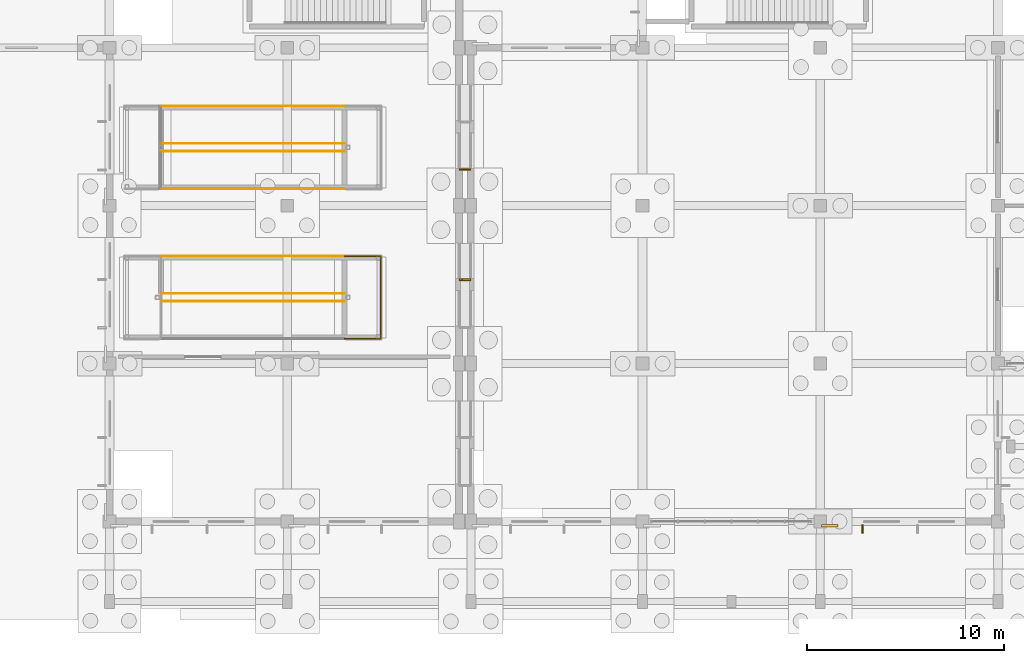
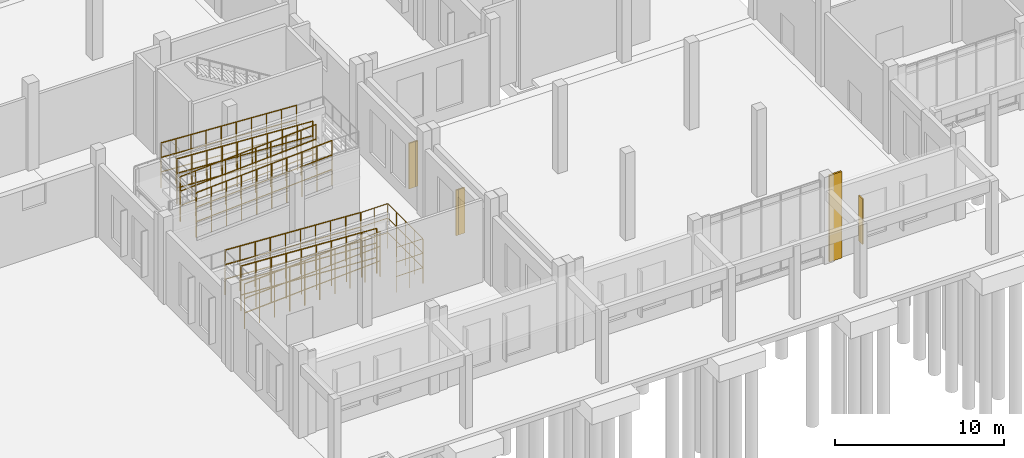
# One storey, part 81 of 99: 24 railings, 5 shading devices, 1 covering.
"""IFC4 building model written with IfcOpenShell, lengths in metres."""

from ifc_helpers import new_model, si_unit, direction, frame, origin, origin_2d, place, context, subcontext, project, spatial, rectangle, circle, extrude, material, layer, layer_set, type_object, element, save


model = new_model("IFC4")

# Units and contexts
model_context = context("Model", 3, precision=1e-05, world=origin(), true_north=direction((0.0, 1.0)))
body_context = subcontext(model_context, "Body", "Model", "MODEL_VIEW")
ifc_project = project(units=[si_unit("LENGTHUNIT", "METRE"), si_unit("AREAUNIT", "SQUARE_METRE"), si_unit("VOLUMEUNIT", "CUBIC_METRE"), si_unit("PLANEANGLEUNIT", "RADIAN"), si_unit("MASSUNIT", "GRAM", prefix="KILO")], contexts=[model_context])

# Site, building, storey
site_placement = place(None, origin())
site = spatial("IfcSite", under=ifc_project, at=site_placement, CompositionType="ELEMENT")
building_placement = place(site_placement, origin())
building = spatial("IfcBuilding", under=site, at=building_placement, Name="Zacnel Wholesale Market", CompositionType="ELEMENT")
storey_placement = place(building_placement, origin())
storey = spatial("IfcBuildingStorey", under=building, at=storey_placement, Name="L01", CompositionType="ELEMENT", Elevation=0.0)

# Covering
ifc_material_1 = material(Name="Honed Yucatan Maya cream limestone", Category="masonry")
ifc_layer = layer(ifc_material_1, 0.090087890625)
ifc_layer_set = layer_set([ifc_layer], Name="Honed Yucatan Maya cream limestone")
covering_type = type_object("IfcCoveringType", Name="COV-CLAD-FRET", PredefinedType="CLADDING", material=ifc_layer_set)
covering_placement = place(storey_placement, frame((90.47998046875, -0.2099609375, 0.02001953125), z_axis=(0.0, 0.0, 1.0), x_axis=(1.0, 0.0, 0.0)))
element("IfcCovering", 1, at=covering_placement, inside=storey, type_object=covering_type, Name="Fluted Mayan-Deco limestone pilaster L01-0033", PredefinedType="CLADDING", context=body_context, shape_type="SweptSolid", body=[
    extrude(rectangle(XDim=0.85009765625, YDim=0.1201171875, at=origin_2d()), origin(), (0.0, 0.0, 1.0), 6.260009765625),
])

# Railings
ifc_material_2 = material(Name="Galvanized steel", Category="steel")
railing_type = type_object("IfcRailingType", Name="RAL-STAIR-GD1150", PredefinedType="BALUSTRADE", material=ifc_material_2)
railing_1_placement = place(storey_placement, frame((56.60009765625, 11.14990234375, 0.0)))
element("IfcRailing", 2, at=railing_1_placement, inside=storey, type_object=railing_type, Name="Accessible ramp RP-03 (RMP-PROM-1A) balustrade 1", PredefinedType="BALUSTRADE", context=body_context, shape_type="SweptSolid", body=[
    extrude(circle(Radius=0.0224609375, at=origin_2d()), frame((0.0, 0.0, 1.12744140625), z_axis=(0.998408262426, 0.0, 0.056399836159), x_axis=(0.0, 1.0, 0.0)), (0.0, 0.0, 1.0), 9.306884765625),
    extrude(circle(Radius=0.02001953125, at=origin_2d()), origin(), (0.0, 0.0, 1.0), 1.10498046875),
    extrude(circle(Radius=0.02001953125, at=origin_2d()), frame((1.032470703125, 0.0, 0.058349609375)), (0.0, 0.0, 1.0), 1.10498046875),
    extrude(circle(Radius=0.02001953125, at=origin_2d()), frame((2.06494140625, 0.0, 0.11669921875)), (0.0, 0.0, 1.0), 1.10498046875),
    extrude(circle(Radius=0.02001953125, at=origin_2d()), frame((3.097412109375, 0.0, 0.175048828125)), (0.0, 0.0, 1.0), 1.10498046875),
    extrude(circle(Radius=0.02001953125, at=origin_2d()), frame((4.1298828125, 0.0, 0.2333984375)), (0.0, 0.0, 1.0), 1.10498046875),
    extrude(circle(Radius=0.02001953125, at=origin_2d()), frame((5.162109375, 0.0, 0.29150390625)), (0.0, 0.0, 1.0), 1.10498046875),
    extrude(circle(Radius=0.02001953125, at=origin_2d()), frame((6.194580078125, 0.0, 0.349853515625)), (0.0, 0.0, 1.0), 1.10498046875),
    extrude(circle(Radius=0.02001953125, at=origin_2d()), frame((7.22705078125, 0.0, 0.408203125)), (0.0, 0.0, 1.0), 1.10498046875),
    extrude(circle(Radius=0.02001953125, at=origin_2d()), frame((8.259521484375, 0.0, 0.466552734375)), (0.0, 0.0, 1.0), 1.10498046875),
    extrude(circle(Radius=0.02001953125, at=origin_2d()), frame((9.2919921875, 0.0, 0.52490234375)), (0.0, 0.0, 1.0), 1.10498046875),
])
railing_2_placement = place(storey_placement, frame((65.902099609375, 9.260009765625, 0.52490234375)))
element("IfcRailing", 3, at=railing_2_placement, inside=storey, type_object=railing_type, Name="Accessible ramp RP-03 (RMP-PROM-1A) landing balustrade 1", PredefinedType="BALUSTRADE", context=body_context, shape_type="SweptSolid", body=[
    extrude(circle(Radius=0.0224609375, at=origin_2d()), frame((0.0, 0.0, 1.12744140625), z_axis=(1.0, 0.0, 0.0), x_axis=(0.0, 1.0, 0.0)), (0.0, 0.0, 1.0), 1.829833984375),
    extrude(circle(Radius=0.0224609375, at=origin_2d()), frame((1.829833984375, 0.0, 1.12744140625), z_axis=(0.0, 1.0, 0.0), x_axis=(-1.0, 0.0, 0.0)), (0.0, 0.0, 1.0), 4.179931640625),
    extrude(circle(Radius=0.0224609375, at=origin_2d()), frame((1.829833984375, 4.179931640625, 1.12744140625), z_axis=(-1.0, 0.0, 0.0), x_axis=(0.0, -1.0, 0.0)), (0.0, 0.0, 1.0), 1.829833984375),
    extrude(circle(Radius=0.02001953125, at=origin_2d()), origin(), (0.0, 0.0, 1.0), 1.10498046875),
    extrude(circle(Radius=0.02001953125, at=origin_2d()), frame((0.9150390625, 0.0, 0.0)), (0.0, 0.0, 1.0), 1.10498046875),
    extrude(circle(Radius=0.02001953125, at=origin_2d()), frame((1.829833984375, 0.0, 0.0)), (0.0, 0.0, 1.0), 1.10498046875),
    extrude(circle(Radius=0.02001953125, at=origin_2d()), frame((1.829833984375, 1.044921875, 0.0)), (0.0, 0.0, 1.0), 1.10498046875),
    extrude(circle(Radius=0.02001953125, at=origin_2d()), frame((1.829833984375, 2.08984375, 0.0)), (0.0, 0.0, 1.0), 1.10498046875),
    extrude(circle(Radius=0.02001953125, at=origin_2d()), frame((1.829833984375, 3.135009765625, 0.0)), (0.0, 0.0, 1.0), 1.10498046875),
    extrude(circle(Radius=0.02001953125, at=origin_2d()), frame((1.829833984375, 4.179931640625, 0.0)), (0.0, 0.0, 1.0), 1.10498046875),
    extrude(circle(Radius=0.02001953125, at=origin_2d()), frame((0.9150390625, 4.179931640625, 0.0)), (0.0, 0.0, 1.0), 1.10498046875),
    extrude(circle(Radius=0.02001953125, at=origin_2d()), frame((0.0, 4.179931640625, 0.0)), (0.0, 0.0, 1.0), 1.10498046875),
])
for number, where, name in (
    (4, (65.89208984375, 11.550048828125, 0.52490234375), "Accessible ramp RP-03 (RMP-PROM-1A) balustrade 2"),
    (5, (65.89208984375, 13.449951171875, 0.52490234375), "Accessible ramp RP-03 (RMP-PROM-1A) balustrade 2"),
):
    element("IfcRailing", number, at=place(storey_placement, frame(where)), inside=storey, type_object=railing_type, Name=name, PredefinedType="BALUSTRADE", context=body_context, shape_type="SweptSolid", body=[
        extrude(circle(Radius=0.0224609375, at=origin_2d()), frame((0.0, 0.0, 1.12744140625), z_axis=(-0.998406784933, 0.0, 0.056425985139), x_axis=(0.0, -1.0, 0.0)), (0.0, 0.0, 1.0), 9.306884765625),
        extrude(circle(Radius=0.02001953125, at=origin_2d()), origin(), (0.0, 0.0, 1.0), 1.10498046875),
        extrude(circle(Radius=0.02001953125, at=origin_2d()), frame((-1.032470703125, 0.0, 0.058349609375)), (0.0, 0.0, 1.0), 1.10498046875),
        extrude(circle(Radius=0.02001953125, at=origin_2d()), frame((-2.06494140625, 0.0, 0.11669921875)), (0.0, 0.0, 1.0), 1.10498046875),
        extrude(circle(Radius=0.02001953125, at=origin_2d()), frame((-3.097412109375, 0.0, 0.175048828125)), (0.0, 0.0, 1.0), 1.10498046875),
        extrude(circle(Radius=0.02001953125, at=origin_2d()), frame((-4.1298828125, 0.0, 0.2333984375)), (0.0, 0.0, 1.0), 1.10498046875),
        extrude(circle(Radius=0.02001953125, at=origin_2d()), frame((-5.162109375, 0.0, 0.291748046875)), (0.0, 0.0, 1.0), 1.10498046875),
        extrude(circle(Radius=0.02001953125, at=origin_2d()), frame((-6.194580078125, 0.0, 0.35009765625)), (0.0, 0.0, 1.0), 1.10498046875),
        extrude(circle(Radius=0.02001953125, at=origin_2d()), frame((-7.22705078125, 0.0, 0.408447265625)), (0.0, 0.0, 1.0), 1.10498046875),
        extrude(circle(Radius=0.02001953125, at=origin_2d()), frame((-8.259521484375, 0.0, 0.466796875)), (0.0, 0.0, 1.0), 1.10498046875),
        extrude(circle(Radius=0.02001953125, at=origin_2d()), frame((-9.2919921875, 0.0, 0.525146484375)), (0.0, 0.0, 1.0), 1.10498046875),
    ])
railing_3_placement = place(storey_placement, frame((56.60009765625, 11.14990234375, 1.050048828125)))
element("IfcRailing", 6, at=railing_3_placement, inside=storey, type_object=railing_type, Name="Accessible ramp RP-03 (RMP-PROM-1A) balustrade 3", PredefinedType="BALUSTRADE", context=body_context, shape_type="SweptSolid", body=[
    extrude(circle(Radius=0.0224609375, at=origin_2d()), frame((0.0, 0.0, 1.12744140625), z_axis=(0.998408262426, 0.0, 0.056399836159), x_axis=(0.0, 1.0, 0.0)), (0.0, 0.0, 1.0), 9.306884765625),
    extrude(circle(Radius=0.02001953125, at=origin_2d()), origin(), (0.0, 0.0, 1.0), 1.10498046875),
    extrude(circle(Radius=0.02001953125, at=origin_2d()), frame((1.032470703125, 0.0, 0.058349609375)), (0.0, 0.0, 1.0), 1.10498046875),
    extrude(circle(Radius=0.02001953125, at=origin_2d()), frame((2.06494140625, 0.0, 0.11669921875)), (0.0, 0.0, 1.0), 1.10498046875),
    extrude(circle(Radius=0.02001953125, at=origin_2d()), frame((3.097412109375, 0.0, 0.175048828125)), (0.0, 0.0, 1.0), 1.10498046875),
    extrude(circle(Radius=0.02001953125, at=origin_2d()), frame((4.1298828125, 0.0, 0.2333984375)), (0.0, 0.0, 1.0), 1.10498046875),
    extrude(circle(Radius=0.02001953125, at=origin_2d()), frame((5.162109375, 0.0, 0.29150390625)), (0.0, 0.0, 1.0), 1.10498046875),
    extrude(circle(Radius=0.02001953125, at=origin_2d()), frame((6.194580078125, 0.0, 0.349853515625)), (0.0, 0.0, 1.0), 1.10498046875),
    extrude(circle(Radius=0.02001953125, at=origin_2d()), frame((7.22705078125, 0.0, 0.408203125)), (0.0, 0.0, 1.0), 1.10498046875),
    extrude(circle(Radius=0.02001953125, at=origin_2d()), frame((8.259521484375, 0.0, 0.466552734375)), (0.0, 0.0, 1.0), 1.10498046875),
    extrude(circle(Radius=0.02001953125, at=origin_2d()), frame((9.2919921875, 0.0, 0.52490234375)), (0.0, 0.0, 1.0), 1.10498046875),
])
railing_4_placement = place(storey_placement, frame((65.902099609375, 9.260009765625, 1.574951171875)))
element("IfcRailing", 7, at=railing_4_placement, inside=storey, type_object=railing_type, Name="Accessible ramp RP-03 (RMP-PROM-1A) landing balustrade 3", PredefinedType="BALUSTRADE", context=body_context, shape_type="SweptSolid", body=[
    extrude(circle(Radius=0.0224609375, at=origin_2d()), frame((0.0, 0.0, 1.12744140625), z_axis=(1.0, 0.0, 0.0), x_axis=(0.0, 1.0, 0.0)), (0.0, 0.0, 1.0), 1.829833984375),
    extrude(circle(Radius=0.0224609375, at=origin_2d()), frame((1.829833984375, 0.0, 1.12744140625), z_axis=(0.0, 1.0, 0.0), x_axis=(-1.0, 0.0, 0.0)), (0.0, 0.0, 1.0), 4.179931640625),
    extrude(circle(Radius=0.0224609375, at=origin_2d()), frame((1.829833984375, 4.179931640625, 1.12744140625), z_axis=(-1.0, 0.0, 0.0), x_axis=(0.0, -1.0, 0.0)), (0.0, 0.0, 1.0), 1.829833984375),
    extrude(circle(Radius=0.02001953125, at=origin_2d()), origin(), (0.0, 0.0, 1.0), 1.10498046875),
    extrude(circle(Radius=0.02001953125, at=origin_2d()), frame((0.9150390625, 0.0, 0.0)), (0.0, 0.0, 1.0), 1.10498046875),
    extrude(circle(Radius=0.02001953125, at=origin_2d()), frame((1.829833984375, 0.0, 0.0)), (0.0, 0.0, 1.0), 1.10498046875),
    extrude(circle(Radius=0.02001953125, at=origin_2d()), frame((1.829833984375, 1.044921875, 0.0)), (0.0, 0.0, 1.0), 1.10498046875),
    extrude(circle(Radius=0.02001953125, at=origin_2d()), frame((1.829833984375, 2.08984375, 0.0)), (0.0, 0.0, 1.0), 1.10498046875),
    extrude(circle(Radius=0.02001953125, at=origin_2d()), frame((1.829833984375, 3.135009765625, 0.0)), (0.0, 0.0, 1.0), 1.10498046875),
    extrude(circle(Radius=0.02001953125, at=origin_2d()), frame((1.829833984375, 4.179931640625, 0.0)), (0.0, 0.0, 1.0), 1.10498046875),
    extrude(circle(Radius=0.02001953125, at=origin_2d()), frame((0.9150390625, 4.179931640625, 0.0)), (0.0, 0.0, 1.0), 1.10498046875),
    extrude(circle(Radius=0.02001953125, at=origin_2d()), frame((0.0, 4.179931640625, 0.0)), (0.0, 0.0, 1.0), 1.10498046875),
])
for number, where, name in (
    (8, (65.89208984375, 11.550048828125, 1.574951171875), "Accessible ramp RP-03 (RMP-PROM-1A) balustrade 4"),
    (9, (65.89208984375, 13.449951171875, 1.574951171875), "Accessible ramp RP-03 (RMP-PROM-1A) balustrade 4"),
):
    element("IfcRailing", number, at=place(storey_placement, frame(where)), inside=storey, type_object=railing_type, Name=name, PredefinedType="BALUSTRADE", context=body_context, shape_type="SweptSolid", body=[
        extrude(circle(Radius=0.0224609375, at=origin_2d()), frame((0.0, 0.0, 1.12744140625), z_axis=(-0.998406784933, 0.0, 0.056425985139), x_axis=(0.0, -1.0, 0.0)), (0.0, 0.0, 1.0), 9.306884765625),
        extrude(circle(Radius=0.02001953125, at=origin_2d()), origin(), (0.0, 0.0, 1.0), 1.10498046875),
        extrude(circle(Radius=0.02001953125, at=origin_2d()), frame((-1.032470703125, 0.0, 0.058349609375)), (0.0, 0.0, 1.0), 1.10498046875),
        extrude(circle(Radius=0.02001953125, at=origin_2d()), frame((-2.06494140625, 0.0, 0.11669921875)), (0.0, 0.0, 1.0), 1.10498046875),
        extrude(circle(Radius=0.02001953125, at=origin_2d()), frame((-3.097412109375, 0.0, 0.175048828125)), (0.0, 0.0, 1.0), 1.10498046875),
        extrude(circle(Radius=0.02001953125, at=origin_2d()), frame((-4.1298828125, 0.0, 0.2333984375)), (0.0, 0.0, 1.0), 1.10498046875),
        extrude(circle(Radius=0.02001953125, at=origin_2d()), frame((-5.162109375, 0.0, 0.291748046875)), (0.0, 0.0, 1.0), 1.10498046875),
        extrude(circle(Radius=0.02001953125, at=origin_2d()), frame((-6.194580078125, 0.0, 0.35009765625)), (0.0, 0.0, 1.0), 1.10498046875),
        extrude(circle(Radius=0.02001953125, at=origin_2d()), frame((-7.22705078125, 0.0, 0.408447265625)), (0.0, 0.0, 1.0), 1.10498046875),
        extrude(circle(Radius=0.02001953125, at=origin_2d()), frame((-8.259521484375, 0.0, 0.466796875)), (0.0, 0.0, 1.0), 1.10498046875),
        extrude(circle(Radius=0.02001953125, at=origin_2d()), frame((-9.2919921875, 0.0, 0.525146484375)), (0.0, 0.0, 1.0), 1.10498046875),
    ])
railing_5_placement = place(storey_placement, frame((56.60009765625, 11.14990234375, 2.10009765625)))
element("IfcRailing", 10, at=railing_5_placement, inside=storey, type_object=railing_type, Name="Accessible ramp RP-03 (RMP-PROM-1A) balustrade 5", PredefinedType="BALUSTRADE", context=body_context, shape_type="SweptSolid", body=[
    extrude(circle(Radius=0.0224609375, at=origin_2d()), frame((0.0, 0.0, 1.12744140625), z_axis=(0.998408262426, 0.0, 0.056399836159), x_axis=(0.0, 1.0, 0.0)), (0.0, 0.0, 1.0), 9.306884765625),
    extrude(circle(Radius=0.02001953125, at=origin_2d()), origin(), (0.0, 0.0, 1.0), 1.10498046875),
    extrude(circle(Radius=0.02001953125, at=origin_2d()), frame((1.032470703125, 0.0, 0.058349609375)), (0.0, 0.0, 1.0), 1.10498046875),
    extrude(circle(Radius=0.02001953125, at=origin_2d()), frame((2.06494140625, 0.0, 0.11669921875)), (0.0, 0.0, 1.0), 1.10498046875),
    extrude(circle(Radius=0.02001953125, at=origin_2d()), frame((3.097412109375, 0.0, 0.175048828125)), (0.0, 0.0, 1.0), 1.10498046875),
    extrude(circle(Radius=0.02001953125, at=origin_2d()), frame((4.1298828125, 0.0, 0.2333984375)), (0.0, 0.0, 1.0), 1.10498046875),
    extrude(circle(Radius=0.02001953125, at=origin_2d()), frame((5.162109375, 0.0, 0.29150390625)), (0.0, 0.0, 1.0), 1.10498046875),
    extrude(circle(Radius=0.02001953125, at=origin_2d()), frame((6.194580078125, 0.0, 0.349853515625)), (0.0, 0.0, 1.0), 1.10498046875),
    extrude(circle(Radius=0.02001953125, at=origin_2d()), frame((7.22705078125, 0.0, 0.408203125)), (0.0, 0.0, 1.0), 1.10498046875),
    extrude(circle(Radius=0.02001953125, at=origin_2d()), frame((8.259521484375, 0.0, 0.466552734375)), (0.0, 0.0, 1.0), 1.10498046875),
    extrude(circle(Radius=0.02001953125, at=origin_2d()), frame((9.2919921875, 0.0, 0.52490234375)), (0.0, 0.0, 1.0), 1.10498046875),
])
railing_6_placement = place(storey_placement, frame((65.902099609375, 9.260009765625, 2.625)))
element("IfcRailing", 11, at=railing_6_placement, inside=storey, type_object=railing_type, Name="Accessible ramp RP-03 (RMP-PROM-1A) landing balustrade 5", PredefinedType="BALUSTRADE", context=body_context, shape_type="SweptSolid", body=[
    extrude(circle(Radius=0.0224609375, at=origin_2d()), frame((0.0, 0.0, 1.12744140625), z_axis=(1.0, 0.0, 0.0), x_axis=(0.0, 1.0, 0.0)), (0.0, 0.0, 1.0), 1.829833984375),
    extrude(circle(Radius=0.0224609375, at=origin_2d()), frame((1.829833984375, 0.0, 1.12744140625), z_axis=(0.0, 1.0, 0.0), x_axis=(-1.0, 0.0, 0.0)), (0.0, 0.0, 1.0), 4.179931640625),
    extrude(circle(Radius=0.0224609375, at=origin_2d()), frame((1.829833984375, 4.179931640625, 1.12744140625), z_axis=(-1.0, 0.0, 0.0), x_axis=(0.0, -1.0, 0.0)), (0.0, 0.0, 1.0), 1.829833984375),
    extrude(circle(Radius=0.02001953125, at=origin_2d()), origin(), (0.0, 0.0, 1.0), 1.10498046875),
    extrude(circle(Radius=0.02001953125, at=origin_2d()), frame((0.9150390625, 0.0, 0.0)), (0.0, 0.0, 1.0), 1.10498046875),
    extrude(circle(Radius=0.02001953125, at=origin_2d()), frame((1.829833984375, 0.0, 0.0)), (0.0, 0.0, 1.0), 1.10498046875),
    extrude(circle(Radius=0.02001953125, at=origin_2d()), frame((1.829833984375, 1.044921875, 0.0)), (0.0, 0.0, 1.0), 1.10498046875),
    extrude(circle(Radius=0.02001953125, at=origin_2d()), frame((1.829833984375, 2.08984375, 0.0)), (0.0, 0.0, 1.0), 1.10498046875),
    extrude(circle(Radius=0.02001953125, at=origin_2d()), frame((1.829833984375, 3.135009765625, 0.0)), (0.0, 0.0, 1.0), 1.10498046875),
    extrude(circle(Radius=0.02001953125, at=origin_2d()), frame((1.829833984375, 4.179931640625, 0.0)), (0.0, 0.0, 1.0), 1.10498046875),
    extrude(circle(Radius=0.02001953125, at=origin_2d()), frame((0.9150390625, 4.179931640625, 0.0)), (0.0, 0.0, 1.0), 1.10498046875),
    extrude(circle(Radius=0.02001953125, at=origin_2d()), frame((0.0, 4.179931640625, 0.0)), (0.0, 0.0, 1.0), 1.10498046875),
])
for number, where, name in (
    (12, (65.89208984375, 11.550048828125, 2.625), "Accessible ramp RP-03 (RMP-PROM-1A) balustrade 6"),
    (13, (65.89208984375, 13.449951171875, 2.625), "Accessible ramp RP-03 (RMP-PROM-1A) balustrade 6"),
):
    element("IfcRailing", number, at=place(storey_placement, frame(where)), inside=storey, type_object=railing_type, Name=name, PredefinedType="BALUSTRADE", context=body_context, shape_type="SweptSolid", body=[
        extrude(circle(Radius=0.0224609375, at=origin_2d()), frame((0.0, 0.0, 1.12744140625), z_axis=(-0.998408262426, 0.0, 0.056399836159), x_axis=(0.0, -1.0, 0.0)), (0.0, 0.0, 1.0), 9.306884765625),
        extrude(circle(Radius=0.02001953125, at=origin_2d()), origin(), (0.0, 0.0, 1.0), 1.10498046875),
        extrude(circle(Radius=0.02001953125, at=origin_2d()), frame((-1.032470703125, 0.0, 0.058349609375)), (0.0, 0.0, 1.0), 1.10498046875),
        extrude(circle(Radius=0.02001953125, at=origin_2d()), frame((-2.06494140625, 0.0, 0.11669921875)), (0.0, 0.0, 1.0), 1.10498046875),
        extrude(circle(Radius=0.02001953125, at=origin_2d()), frame((-3.097412109375, 0.0, 0.175048828125)), (0.0, 0.0, 1.0), 1.10498046875),
        extrude(circle(Radius=0.02001953125, at=origin_2d()), frame((-4.1298828125, 0.0, 0.2333984375)), (0.0, 0.0, 1.0), 1.10498046875),
        extrude(circle(Radius=0.02001953125, at=origin_2d()), frame((-5.162109375, 0.0, 0.29150390625)), (0.0, 0.0, 1.0), 1.10498046875),
        extrude(circle(Radius=0.02001953125, at=origin_2d()), frame((-6.194580078125, 0.0, 0.349853515625)), (0.0, 0.0, 1.0), 1.10498046875),
        extrude(circle(Radius=0.02001953125, at=origin_2d()), frame((-7.22705078125, 0.0, 0.408203125)), (0.0, 0.0, 1.0), 1.10498046875),
        extrude(circle(Radius=0.02001953125, at=origin_2d()), frame((-8.259521484375, 0.0, 0.466552734375)), (0.0, 0.0, 1.0), 1.10498046875),
        extrude(circle(Radius=0.02001953125, at=origin_2d()), frame((-9.2919921875, 0.0, 0.52490234375)), (0.0, 0.0, 1.0), 1.10498046875),
    ])
for number, where, name in (
    (14, (56.60009765625, 16.85009765625, 3.14990234375), "Accessible ramp RP-03 (RMP-PROM-1B) balustrade 1"),
    (15, (56.60009765625, 18.75, 3.14990234375), "Accessible ramp RP-03 (RMP-PROM-1B) balustrade 1"),
):
    element("IfcRailing", number, at=place(storey_placement, frame(where)), inside=storey, type_object=railing_type, Name=name, PredefinedType="BALUSTRADE", context=body_context, shape_type="SweptSolid", body=[
        extrude(circle(Radius=0.0224609375, at=origin_2d()), frame((0.0, 0.0, 1.12744140625), z_axis=(0.998406784933, 0.0, 0.056425985139), x_axis=(0.0, 1.0, 0.0)), (0.0, 0.0, 1.0), 9.306884765625),
        extrude(circle(Radius=0.02001953125, at=origin_2d()), origin(), (0.0, 0.0, 1.0), 1.10498046875),
        extrude(circle(Radius=0.02001953125, at=origin_2d()), frame((1.032470703125, 0.0, 0.058349609375)), (0.0, 0.0, 1.0), 1.10498046875),
        extrude(circle(Radius=0.02001953125, at=origin_2d()), frame((2.06494140625, 0.0, 0.11669921875)), (0.0, 0.0, 1.0), 1.10498046875),
        extrude(circle(Radius=0.02001953125, at=origin_2d()), frame((3.097412109375, 0.0, 0.175048828125)), (0.0, 0.0, 1.0), 1.10498046875),
        extrude(circle(Radius=0.02001953125, at=origin_2d()), frame((4.1298828125, 0.0, 0.2333984375)), (0.0, 0.0, 1.0), 1.10498046875),
        extrude(circle(Radius=0.02001953125, at=origin_2d()), frame((5.162109375, 0.0, 0.291748046875)), (0.0, 0.0, 1.0), 1.10498046875),
        extrude(circle(Radius=0.02001953125, at=origin_2d()), frame((6.194580078125, 0.0, 0.35009765625)), (0.0, 0.0, 1.0), 1.10498046875),
        extrude(circle(Radius=0.02001953125, at=origin_2d()), frame((7.22705078125, 0.0, 0.408447265625)), (0.0, 0.0, 1.0), 1.10498046875),
        extrude(circle(Radius=0.02001953125, at=origin_2d()), frame((8.259521484375, 0.0, 0.466796875)), (0.0, 0.0, 1.0), 1.10498046875),
        extrude(circle(Radius=0.02001953125, at=origin_2d()), frame((9.2919921875, 0.0, 0.525146484375)), (0.0, 0.0, 1.0), 1.10498046875),
    ])
for number, where, name in (
    (16, (65.89208984375, 19.14990234375, 3.675048828125), "Accessible ramp RP-03 (RMP-PROM-1B) balustrade 2"),
    (17, (65.89208984375, 21.050048828125, 3.675048828125), "Accessible ramp RP-03 (RMP-PROM-1B) balustrade 2"),
):
    element("IfcRailing", number, at=place(storey_placement, frame(where)), inside=storey, type_object=railing_type, Name=name, PredefinedType="BALUSTRADE", context=body_context, shape_type="SweptSolid", body=[
        extrude(circle(Radius=0.0224609375, at=origin_2d()), frame((0.0, 0.0, 1.12744140625), z_axis=(-0.998408262426, 0.0, 0.056399836159), x_axis=(0.0, -1.0, 0.0)), (0.0, 0.0, 1.0), 9.306884765625),
        extrude(circle(Radius=0.02001953125, at=origin_2d()), origin(), (0.0, 0.0, 1.0), 1.10498046875),
        extrude(circle(Radius=0.02001953125, at=origin_2d()), frame((-1.032470703125, 0.0, 0.058349609375)), (0.0, 0.0, 1.0), 1.10498046875),
        extrude(circle(Radius=0.02001953125, at=origin_2d()), frame((-2.06494140625, 0.0, 0.11669921875)), (0.0, 0.0, 1.0), 1.10498046875),
        extrude(circle(Radius=0.02001953125, at=origin_2d()), frame((-3.097412109375, 0.0, 0.175048828125)), (0.0, 0.0, 1.0), 1.10498046875),
        extrude(circle(Radius=0.02001953125, at=origin_2d()), frame((-4.1298828125, 0.0, 0.2333984375)), (0.0, 0.0, 1.0), 1.10498046875),
        extrude(circle(Radius=0.02001953125, at=origin_2d()), frame((-5.162109375, 0.0, 0.29150390625)), (0.0, 0.0, 1.0), 1.10498046875),
        extrude(circle(Radius=0.02001953125, at=origin_2d()), frame((-6.194580078125, 0.0, 0.349853515625)), (0.0, 0.0, 1.0), 1.10498046875),
        extrude(circle(Radius=0.02001953125, at=origin_2d()), frame((-7.22705078125, 0.0, 0.408203125)), (0.0, 0.0, 1.0), 1.10498046875),
        extrude(circle(Radius=0.02001953125, at=origin_2d()), frame((-8.259521484375, 0.0, 0.466552734375)), (0.0, 0.0, 1.0), 1.10498046875),
        extrude(circle(Radius=0.02001953125, at=origin_2d()), frame((-9.2919921875, 0.0, 0.52490234375)), (0.0, 0.0, 1.0), 1.10498046875),
    ])
for number, where, name in (
    (18, (56.60009765625, 16.85009765625, 4.199951171875), "Accessible ramp RP-03 (RMP-PROM-1B) balustrade 3"),
    (19, (56.60009765625, 18.75, 4.199951171875), "Accessible ramp RP-03 (RMP-PROM-1B) balustrade 3"),
):
    element("IfcRailing", number, at=place(storey_placement, frame(where)), inside=storey, type_object=railing_type, Name=name, PredefinedType="BALUSTRADE", context=body_context, shape_type="SweptSolid", body=[
        extrude(circle(Radius=0.0224609375, at=origin_2d()), frame((0.0, 0.0, 1.12744140625), z_axis=(0.998406784933, 0.0, 0.056425985139), x_axis=(0.0, 1.0, 0.0)), (0.0, 0.0, 1.0), 9.306884765625),
        extrude(circle(Radius=0.02001953125, at=origin_2d()), origin(), (0.0, 0.0, 1.0), 1.10498046875),
        extrude(circle(Radius=0.02001953125, at=origin_2d()), frame((1.032470703125, 0.0, 0.058349609375)), (0.0, 0.0, 1.0), 1.10498046875),
        extrude(circle(Radius=0.02001953125, at=origin_2d()), frame((2.06494140625, 0.0, 0.11669921875)), (0.0, 0.0, 1.0), 1.10498046875),
        extrude(circle(Radius=0.02001953125, at=origin_2d()), frame((3.097412109375, 0.0, 0.175048828125)), (0.0, 0.0, 1.0), 1.10498046875),
        extrude(circle(Radius=0.02001953125, at=origin_2d()), frame((4.1298828125, 0.0, 0.2333984375)), (0.0, 0.0, 1.0), 1.10498046875),
        extrude(circle(Radius=0.02001953125, at=origin_2d()), frame((5.162109375, 0.0, 0.291748046875)), (0.0, 0.0, 1.0), 1.10498046875),
        extrude(circle(Radius=0.02001953125, at=origin_2d()), frame((6.194580078125, 0.0, 0.35009765625)), (0.0, 0.0, 1.0), 1.10498046875),
        extrude(circle(Radius=0.02001953125, at=origin_2d()), frame((7.22705078125, 0.0, 0.408447265625)), (0.0, 0.0, 1.0), 1.10498046875),
        extrude(circle(Radius=0.02001953125, at=origin_2d()), frame((8.259521484375, 0.0, 0.466796875)), (0.0, 0.0, 1.0), 1.10498046875),
        extrude(circle(Radius=0.02001953125, at=origin_2d()), frame((9.2919921875, 0.0, 0.525146484375)), (0.0, 0.0, 1.0), 1.10498046875),
    ])
for number, where, name in (
    (20, (65.89208984375, 19.14990234375, 4.72509765625), "Accessible ramp RP-03 (RMP-PROM-1B) balustrade 4"),
    (21, (65.89208984375, 21.050048828125, 4.72509765625), "Accessible ramp RP-03 (RMP-PROM-1B) balustrade 4"),
):
    element("IfcRailing", number, at=place(storey_placement, frame(where)), inside=storey, type_object=railing_type, Name=name, PredefinedType="BALUSTRADE", context=body_context, shape_type="SweptSolid", body=[
        extrude(circle(Radius=0.0224609375, at=origin_2d()), frame((0.0, 0.0, 1.12744140625), z_axis=(-0.998408262426, 0.0, 0.056399836159), x_axis=(0.0, -1.0, 0.0)), (0.0, 0.0, 1.0), 9.306884765625),
        extrude(circle(Radius=0.02001953125, at=origin_2d()), origin(), (0.0, 0.0, 1.0), 1.10498046875),
        extrude(circle(Radius=0.02001953125, at=origin_2d()), frame((-1.032470703125, 0.0, 0.058349609375)), (0.0, 0.0, 1.0), 1.10498046875),
        extrude(circle(Radius=0.02001953125, at=origin_2d()), frame((-2.06494140625, 0.0, 0.11669921875)), (0.0, 0.0, 1.0), 1.10498046875),
        extrude(circle(Radius=0.02001953125, at=origin_2d()), frame((-3.097412109375, 0.0, 0.175048828125)), (0.0, 0.0, 1.0), 1.10498046875),
        extrude(circle(Radius=0.02001953125, at=origin_2d()), frame((-4.1298828125, 0.0, 0.2333984375)), (0.0, 0.0, 1.0), 1.10498046875),
        extrude(circle(Radius=0.02001953125, at=origin_2d()), frame((-5.162109375, 0.0, 0.29150390625)), (0.0, 0.0, 1.0), 1.10498046875),
        extrude(circle(Radius=0.02001953125, at=origin_2d()), frame((-6.194580078125, 0.0, 0.349853515625)), (0.0, 0.0, 1.0), 1.10498046875),
        extrude(circle(Radius=0.02001953125, at=origin_2d()), frame((-7.22705078125, 0.0, 0.408203125)), (0.0, 0.0, 1.0), 1.10498046875),
        extrude(circle(Radius=0.02001953125, at=origin_2d()), frame((-8.259521484375, 0.0, 0.466552734375)), (0.0, 0.0, 1.0), 1.10498046875),
        extrude(circle(Radius=0.02001953125, at=origin_2d()), frame((-9.2919921875, 0.0, 0.52490234375)), (0.0, 0.0, 1.0), 1.10498046875),
    ])
for number, where, name in (
    (22, (56.60009765625, 16.85009765625, 5.25), "Accessible ramp RP-03 (RMP-PROM-1B) balustrade 5"),
    (23, (56.60009765625, 18.75, 5.25), "Accessible ramp RP-03 (RMP-PROM-1B) balustrade 5"),
):
    element("IfcRailing", number, at=place(storey_placement, frame(where)), inside=storey, type_object=railing_type, Name=name, PredefinedType="BALUSTRADE", context=body_context, shape_type="SweptSolid", body=[
        extrude(circle(Radius=0.0224609375, at=origin_2d()), frame((0.0, 0.0, 1.12744140625), z_axis=(0.998408262426, 0.0, 0.056399836159), x_axis=(0.0, 1.0, 0.0)), (0.0, 0.0, 1.0), 9.306884765625),
        extrude(circle(Radius=0.02001953125, at=origin_2d()), origin(), (0.0, 0.0, 1.0), 1.10498046875),
        extrude(circle(Radius=0.02001953125, at=origin_2d()), frame((1.032470703125, 0.0, 0.058349609375)), (0.0, 0.0, 1.0), 1.10498046875),
        extrude(circle(Radius=0.02001953125, at=origin_2d()), frame((2.06494140625, 0.0, 0.11669921875)), (0.0, 0.0, 1.0), 1.10498046875),
        extrude(circle(Radius=0.02001953125, at=origin_2d()), frame((3.097412109375, 0.0, 0.175048828125)), (0.0, 0.0, 1.0), 1.10498046875),
        extrude(circle(Radius=0.02001953125, at=origin_2d()), frame((4.1298828125, 0.0, 0.2333984375)), (0.0, 0.0, 1.0), 1.10498046875),
        extrude(circle(Radius=0.02001953125, at=origin_2d()), frame((5.162109375, 0.0, 0.29150390625)), (0.0, 0.0, 1.0), 1.10498046875),
        extrude(circle(Radius=0.02001953125, at=origin_2d()), frame((6.194580078125, 0.0, 0.349853515625)), (0.0, 0.0, 1.0), 1.10498046875),
        extrude(circle(Radius=0.02001953125, at=origin_2d()), frame((7.22705078125, 0.0, 0.408203125)), (0.0, 0.0, 1.0), 1.10498046875),
        extrude(circle(Radius=0.02001953125, at=origin_2d()), frame((8.259521484375, 0.0, 0.466552734375)), (0.0, 0.0, 1.0), 1.10498046875),
        extrude(circle(Radius=0.02001953125, at=origin_2d()), frame((9.2919921875, 0.0, 0.52490234375)), (0.0, 0.0, 1.0), 1.10498046875),
    ])
for number, where, name in (
    (24, (65.89208984375, 19.14990234375, 5.77490234375), "Accessible ramp RP-03 (RMP-PROM-1B) balustrade 6"),
    (25, (65.89208984375, 21.050048828125, 5.77490234375), "Accessible ramp RP-03 (RMP-PROM-1B) balustrade 6"),
):
    element("IfcRailing", number, at=place(storey_placement, frame(where)), inside=storey, type_object=railing_type, Name=name, PredefinedType="BALUSTRADE", context=body_context, shape_type="SweptSolid", body=[
        extrude(circle(Radius=0.0224609375, at=origin_2d()), frame((0.0, 0.0, 1.12744140625), z_axis=(-0.998406784933, 0.0, 0.056425985139), x_axis=(0.0, -1.0, 0.0)), (0.0, 0.0, 1.0), 9.306884765625),
        extrude(circle(Radius=0.02001953125, at=origin_2d()), origin(), (0.0, 0.0, 1.0), 1.10498046875),
        extrude(circle(Radius=0.02001953125, at=origin_2d()), frame((-1.032470703125, 0.0, 0.058349609375)), (0.0, 0.0, 1.0), 1.10498046875),
        extrude(circle(Radius=0.02001953125, at=origin_2d()), frame((-2.06494140625, 0.0, 0.11669921875)), (0.0, 0.0, 1.0), 1.10498046875),
        extrude(circle(Radius=0.02001953125, at=origin_2d()), frame((-3.097412109375, 0.0, 0.175048828125)), (0.0, 0.0, 1.0), 1.10498046875),
        extrude(circle(Radius=0.02001953125, at=origin_2d()), frame((-4.1298828125, 0.0, 0.2333984375)), (0.0, 0.0, 1.0), 1.10498046875),
        extrude(circle(Radius=0.02001953125, at=origin_2d()), frame((-5.162109375, 0.0, 0.291748046875)), (0.0, 0.0, 1.0), 1.10498046875),
        extrude(circle(Radius=0.02001953125, at=origin_2d()), frame((-6.194580078125, 0.0, 0.35009765625)), (0.0, 0.0, 1.0), 1.10498046875),
        extrude(circle(Radius=0.02001953125, at=origin_2d()), frame((-7.22705078125, 0.0, 0.408447265625)), (0.0, 0.0, 1.0), 1.10498046875),
        extrude(circle(Radius=0.02001953125, at=origin_2d()), frame((-8.259521484375, 0.0, 0.466796875)), (0.0, 0.0, 1.0), 1.10498046875),
        extrude(circle(Radius=0.02001953125, at=origin_2d()), frame((-9.2919921875, 0.0, 0.525146484375)), (0.0, 0.0, 1.0), 1.10498046875),
    ])

# Shading devices
ifc_material_3 = material(Name="Honed Yucatan Maya cream limestone", Category="masonry")
shading_device_type = type_object("IfcShadingDeviceType", Name="SHD-FIN-V450", PredefinedType="USERDEFINED", material=ifc_material_3)
for number, where, z_axis, x_axis, name in (
    (26, (72.080078125, 12.248046875, 0.77490234375), (0.0, 0.0, 1.0), (0.0, 1.0, 0.0), "Limestone sunshade fin 0020"),
    (27, (72.080078125, 17.83203125, 0.77490234375), (0.0, 0.0, 1.0), (0.0, 1.0, 0.0), "Limestone sunshade fin 0021"),
    (28, (92.14794921875, -0.3798828125, 0.77490234375), (0.0, 0.0, 1.0), (1.0, 0.0, 0.0), "Limestone sunshade fin 0025"),
    (29, (71.919921875, 12.248046875, 0.77490234375), (0.0, 0.0, 1.0), (0.0, 1.0, 0.0), "Limestone sunshade fin 0030"),
    (30, (71.919921875, 17.83203125, 0.77490234375), (0.0, 0.0, 1.0), (0.0, 1.0, 0.0), "Limestone sunshade fin 0031"),
):
    element("IfcShadingDevice", number, at=place(storey_placement, frame(where, z_axis=z_axis, x_axis=x_axis)), inside=storey, type_object=shading_device_type, Name=name, ObjectType="SUNSHADE", PredefinedType="USERDEFINED", context=body_context, shape_type="SweptSolid", body=[
        extrude(rectangle(XDim=0.080078125, YDim=0.43994140625, at=origin_2d()), origin(), (0.0, 0.0, 1.0), 3.300048828125),
    ])

save(model, "model.ifc")
